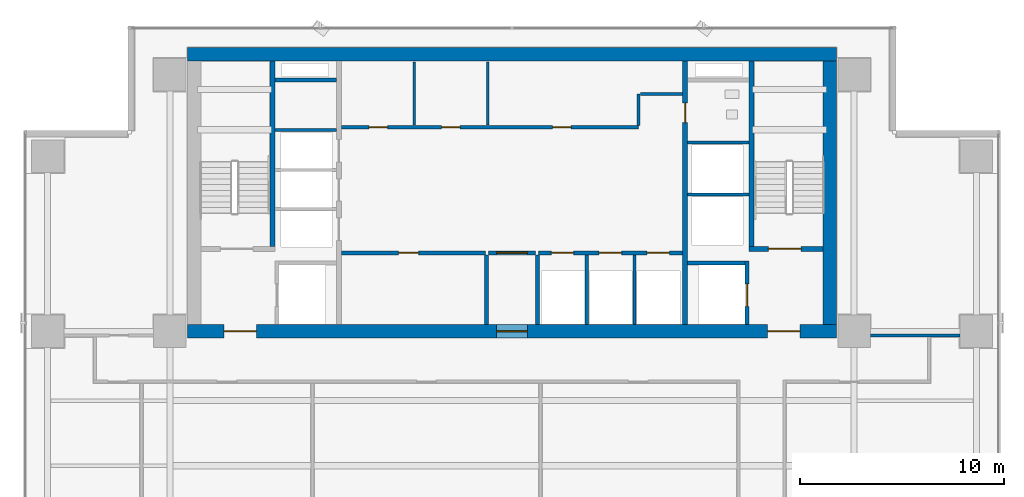
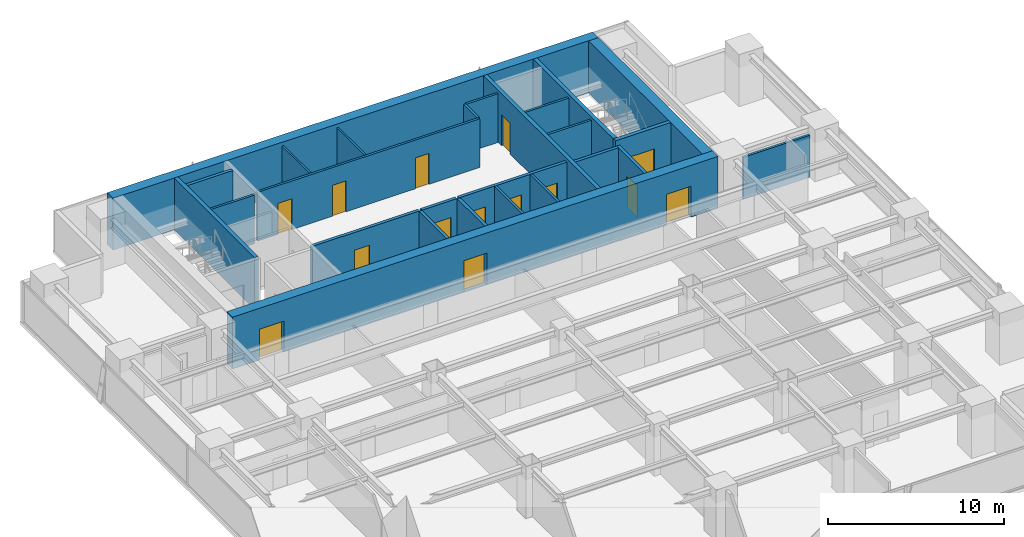
# One storey, part 22 of 28: 26 walls, 14 doors, 14 openings.
"""IFC4 building model written with IfcOpenShell, lengths in metres."""

from ifc_helpers import new_model, si_unit, direction, frame, frame_2d, origin, place, context, subcontext, project, spatial, rectangle, extrude, source, transform, mapped, material, layer, layer_set, type_object, element, fill, save


model = new_model("IFC4")

# Units and contexts
model_context = context("Model", 3, precision=1e-05, world=origin(), true_north=direction((0.0, 1.0)))
body_context = subcontext(model_context, "Body", "Model", "MODEL_VIEW")
ifc_project = project(units=[si_unit("LENGTHUNIT", "METRE"), si_unit("AREAUNIT", "SQUARE_METRE"), si_unit("VOLUMEUNIT", "CUBIC_METRE"), si_unit("PLANEANGLEUNIT", "RADIAN"), si_unit("MASSUNIT", "GRAM", prefix="KILO")], contexts=[model_context])

# Site, building, storey
site_placement = place(None, origin())
site = spatial("IfcSite", under=ifc_project, at=site_placement, CompositionType="ELEMENT")
building_placement = place(site_placement, origin())
building = spatial("IfcBuilding", under=site, at=building_placement, Name="Sumidabori Civic Tower", CompositionType="ELEMENT")
storey_placement = place(building_placement, frame((0.0, 0.0, 146.0)))
storey = spatial("IfcBuildingStorey", under=building, at=storey_placement, Name="L37", CompositionType="ELEMENT", Elevation=146.0)

# Walls
ifc_material_1 = material(Name="Concrete C50/60", Category="concrete")
ifc_layer_1 = layer(ifc_material_1, 0.199951171875, Name="Concrete C50/60")
ifc_layer_set_1 = layer_set([ifc_layer_1], Name="Concrete C50/60")
wall_type_1 = type_object("IfcWallType", Name="WL-SHAFT-200", PredefinedType="SHEAR", material=ifc_layer_set_1)
shared_shape_1 = source(origin(), body_context, "Body", "SweptSolid", [
    extrude(rectangle(XDim=2.824951171875, YDim=0.199951171875, at=frame_2d((1.41259765625, 0.0))), origin(), (0.0, 0.0, 1.0), 3.60009765625),
])
wall_1_placement = place(storey_placement, frame((8.625, 13.550048828125, 0.0), z_axis=(0.0, 0.0, 1.0), x_axis=(1.0, 0.0, 0.0)))
element("IfcWall", 1, at=wall_1_placement, inside=storey, type_object=wall_type_1, Name="Core Shear Wall L37 EL2-N", PredefinedType="SHEAR", context=body_context, shape_type="MappedRepresentation", body=[
    mapped(shared_shape_1, transform((0.0, 0.0, 0.0), x_axis=(1.0, 0.0, 0.0), y_axis=(0.0, 1.0, 0.0), z_axis=(0.0, 0.0, 1.0), scale=1.0)),
])
shared_shape_2 = source(origin(), body_context, "Body", "SweptSolid", [
    extrude(rectangle(XDim=3.02001953125, YDim=0.199951171875, at=frame_2d((1.510009765625, 0.0))), origin(), (0.0, 0.0, 1.0), 3.60009765625),
])
wall_2_placement = place(storey_placement, frame((-11.64501953125, 22.550048828125, 0.0), z_axis=(0.0, 0.0, 1.0), x_axis=(1.0, 0.0, 0.0)))
element("IfcWall", 2, at=wall_2_placement, inside=storey, type_object=wall_type_1, Name="Core Shear Wall L37 RIS1-S", PredefinedType="SHEAR", context=body_context, shape_type="MappedRepresentation", body=[
    mapped(shared_shape_2, transform((0.0, 0.0, 0.0), x_axis=(1.0, 0.0, 0.0), y_axis=(0.0, 1.0, 0.0), z_axis=(0.0, 0.0, 1.0), scale=1.0)),
])
ifc_material_2 = material(Name="Concrete C60/75", Category="concrete")
ifc_layer_2 = layer(ifc_material_2, 0.64990234375, Name="Concrete C60/75")
ifc_layer_set_2 = layer_set([ifc_layer_2], Name="Concrete C60/75")
wall_type_2 = type_object("IfcWallType", Name="WL-CORE-650", PredefinedType="SHEAR", material=ifc_layer_set_2)
shared_shape_3 = source(origin(), body_context, "Body", "SweptSolid", [
    extrude(rectangle(XDim=31.85009765625, YDim=0.64990234375, at=frame_2d((15.925048828125, 0.0))), origin(), (0.0, 0.0, 1.0), 3.60009765625),
])
wall_3_placement = place(storey_placement, frame((-15.925048828125, 23.800048828125, 0.0), z_axis=(0.0, 0.0, 1.0), x_axis=(1.0, 0.0, 0.0)))
element("IfcWall", 3, at=wall_3_placement, inside=storey, type_object=wall_type_2, Name="Core Shear Wall L37 N", PredefinedType="SHEAR", context=body_context, shape_type="MappedRepresentation", body=[
    mapped(shared_shape_3, transform((0.0, 0.0, 0.0), x_axis=(1.0, 0.0, 0.0), y_axis=(0.0, 1.0, 0.0), z_axis=(0.0, 0.0, 1.0), scale=1.0)),
])

# Wall, openings, doors
wall_4_placement = place(storey_placement, frame((-15.925048828125, 10.199951171875, 0.0), z_axis=(0.0, 0.0, 1.0), x_axis=(1.0, 0.0, 0.0)))
wall_4 = element("IfcWall", 4, at=wall_4_placement, inside=storey, type_object=wall_type_2, Name="Core Shear Wall L37 S", PredefinedType="SHEAR", context=body_context, shape_type="MappedRepresentation", body=[
    mapped(shared_shape_3, transform((0.0, 0.0, 0.0), x_axis=(1.0, 0.0, 0.0), y_axis=(0.0, 1.0, 0.0), z_axis=(0.0, 0.0, 1.0), scale=1.0)),
])
opening_1_placement = place(wall_4_placement, frame((1.77490234375, 0.0, 0.0)))
opening_1 = element("IfcOpeningElement", 5, at=opening_1_placement, cuts=wall_4, Name="Opening DR-FD4", PredefinedType="OPENING", context=body_context, shape_type="SweptSolid", body=[
    extrude(rectangle(XDim=1.60009765625, YDim=2.14990234375, at=frame_2d((0.800048828125, 1.074951171875))), frame((0.0, 0.3369140625, 0.0), z_axis=(0.0, -1.0, 0.0), x_axis=(1.0, 0.0, 0.0)), (0.0, 0.0, 1.0), 0.673828125),
])
opening_2_placement = place(wall_4_placement, frame((28.47509765625, 0.0, 0.0)))
opening_2 = element("IfcOpeningElement", 6, at=opening_2_placement, cuts=wall_4, Name="Opening DR-FD4", PredefinedType="OPENING", context=body_context, shape_type="SweptSolid", body=[
    extrude(rectangle(XDim=1.60009765625, YDim=2.14990234375, at=frame_2d((0.800048828125, 1.074951171875))), frame((0.0, 0.3369140625, 0.0), z_axis=(0.0, -1.0, 0.0), x_axis=(1.0, 0.0, 0.0)), (0.0, 0.0, 1.0), 0.673828125),
])
opening_3_placement = place(wall_4_placement, frame((15.175048828125, 0.0, 0.0)))
opening_3 = element("IfcOpeningElement", 7, at=opening_3_placement, cuts=wall_4, Name="Opening DR-FD3", PredefinedType="OPENING", context=body_context, shape_type="SweptSolid", body=[
    extrude(rectangle(XDim=1.5, YDim=2.199951171875, at=frame_2d((0.75, 1.10009765625))), frame((0.0, 0.3369140625, 0.0), z_axis=(0.0, -1.0, 0.0), x_axis=(1.0, 0.0, 0.0)), (0.0, 0.0, 1.0), 0.673828125),
])
ifc_material_3 = material(Name="Steel SN490", Category="steel")
door_type_1 = type_object("IfcDoorType", Name="DR-FD4", OperationType="DOUBLE_DOOR_SINGLE_SWING", PredefinedType="DOOR", material=ifc_material_3)
shared_shape_4 = source(origin(), body_context, "Body", "SweptSolid", [
    extrude(rectangle(XDim=1.60009765625, YDim=2.14990234375, at=frame_2d((0.800048828125, 1.074951171875))), frame((0.0, 0.02490234375, 0.0), z_axis=(0.0, -1.0, 0.0), x_axis=(1.0, 0.0, 0.0)), (0.0, 0.0, 1.0), 0.050048828125),
])
door_1_placement = place(opening_1_placement, origin())
door_1 = element("IfcDoor", 8, at=door_1_placement, inside=storey, type_object=door_type_1, Name="Door DR:L37:ELOB-W", OperationType="DOUBLE_DOOR_SINGLE_SWING", OverallHeight=2.14990234375, OverallWidth=1.60009765625, PredefinedType="DOOR", context=body_context, shape_type="MappedRepresentation", body=[
    mapped(shared_shape_4, transform((0.0, 0.0, 0.0), x_axis=(1.0, 0.0, 0.0), y_axis=(0.0, 1.0, 0.0), z_axis=(0.0, 0.0, 1.0), scale=1.0)),
])
fill(opening_1, door_1)
door_2_placement = place(opening_2_placement, origin())
door_2 = element("IfcDoor", 9, at=door_2_placement, inside=storey, type_object=door_type_1, Name="Door DR:L37:ELOB-E", OperationType="DOUBLE_DOOR_SINGLE_SWING", OverallHeight=2.14990234375, OverallWidth=1.60009765625, PredefinedType="DOOR", context=body_context, shape_type="MappedRepresentation", body=[
    mapped(shared_shape_4, transform((0.0, 0.0, 0.0), x_axis=(1.0, 0.0, 0.0), y_axis=(0.0, 1.0, 0.0), z_axis=(0.0, 0.0, 1.0), scale=1.0)),
])
fill(opening_2, door_2)
door_type_2 = type_object("IfcDoorType", Name="DR-FD-DBL", OperationType="DOUBLE_DOOR_SINGLE_SWING", PredefinedType="DOOR", material=ifc_material_3)
shared_shape_5 = source(origin(), body_context, "Body", "SweptSolid", [
    extrude(rectangle(XDim=1.5, YDim=2.199951171875, at=frame_2d((0.75, 1.10009765625))), frame((0.0, 0.02490234375, 0.0), z_axis=(0.0, -1.0, 0.0), x_axis=(1.0, 0.0, 0.0)), (0.0, 0.0, 1.0), 0.050048828125),
])
door_3_placement = place(opening_3_placement, origin())
door_3 = element("IfcDoor", 10, at=door_3_placement, inside=storey, type_object=door_type_2, Name="Door DR:L37:THROAT-OUT", OperationType="DOUBLE_DOOR_SINGLE_SWING", OverallHeight=2.199951171875, OverallWidth=1.5, PredefinedType="DOOR", context=body_context, shape_type="MappedRepresentation", body=[
    mapped(shared_shape_5, transform((0.0, 0.0, 0.0), x_axis=(1.0, 0.0, 0.0), y_axis=(0.0, 1.0, 0.0), z_axis=(0.0, 0.0, 1.0), scale=1.0)),
])
fill(opening_3, door_3)

# Wall
shared_shape_6 = source(origin(), body_context, "Body", "SweptSolid", [
    extrude(rectangle(XDim=12.9501953125, YDim=0.64990234375, at=frame_2d((6.47509765625, 0.0))), origin(), (0.0, 0.0, 1.0), 3.60009765625),
])
wall_5_placement = place(storey_placement, frame((15.60009765625, 10.52490234375, 0.0), z_axis=(0.0, 0.0, 1.0), x_axis=(0.0, 1.0, 0.0)))
element("IfcWall", 11, at=wall_5_placement, inside=storey, type_object=wall_type_2, Name="Core Shear Wall L37 E", PredefinedType="SHEAR", context=body_context, shape_type="MappedRepresentation", body=[
    mapped(shared_shape_6, transform((0.0, 0.0, 0.0), x_axis=(1.0, 0.0, 0.0), y_axis=(0.0, 1.0, 0.0), z_axis=(0.0, 0.0, 1.0), scale=1.0)),
])

# Wall, opening, door
ifc_layer_3 = layer(ifc_material_1, 0.25, Name="Concrete C50/60")
ifc_layer_set_3 = layer_set([ifc_layer_3], Name="Concrete C50/60")
wall_type_3 = type_object("IfcWallType", Name="WL-SHAFT-250", PredefinedType="SHEAR", material=ifc_layer_set_3)
shared_shape_7 = source(origin(), body_context, "Body", "SweptSolid", [
    extrude(rectangle(XDim=12.9501953125, YDim=0.25, at=frame_2d((6.47509765625, 0.0))), origin(), (0.0, 0.0, 1.0), 3.60009765625),
])
wall_6_placement = place(storey_placement, frame((8.5, 10.52490234375, 0.0), z_axis=(0.0, 0.0, 1.0), x_axis=(0.0, 1.0, 0.0)))
wall_6 = element("IfcWall", 12, at=wall_6_placement, inside=storey, type_object=wall_type_3, Name="Core Shear Wall L37 WEB-E", PredefinedType="SHEAR", context=body_context, shape_type="MappedRepresentation", body=[
    mapped(shared_shape_7, transform((0.0, 0.0, 0.0), x_axis=(1.0, 0.0, 0.0), y_axis=(0.0, 1.0, 0.0), z_axis=(0.0, 0.0, 1.0), scale=1.0)),
])
opening_4_placement = place(wall_6_placement, frame((9.925048828125, 0.0, 0.0)))
opening_4 = element("IfcOpeningElement", 13, at=opening_4_placement, cuts=wall_6, Name="Opening DR-2", PredefinedType="OPENING", context=body_context, shape_type="SweptSolid", body=[
    extrude(rectangle(XDim=0.949951171875, YDim=2.14990234375, at=frame_2d((0.47509765625, 1.074951171875))), frame((0.0, 0.136962890625, 0.0), z_axis=(0.0, -1.0, 0.0), x_axis=(1.0, 0.0, 0.0)), (0.0, 0.0, 1.0), 0.27392578125),
])
ifc_material_4 = material(Name="Japanese Hinoki Timber", Category="wood")
door_type_3 = type_object("IfcDoorType", Name="DR-INT-950", OperationType="NOTDEFINED", PredefinedType="DOOR", material=ifc_material_4)
shared_shape_8 = source(origin(), body_context, "Body", "SweptSolid", [
    extrude(rectangle(XDim=0.949951171875, YDim=2.14990234375, at=frame_2d((0.47509765625, 1.074951171875))), frame((0.0, 0.02490234375, 0.0), z_axis=(0.0, -1.0, 0.0), x_axis=(1.0, 0.0, 0.0)), (0.0, 0.0, 1.0), 0.050048828125),
])
door_4_placement = place(opening_4_placement, origin())
door_4 = element("IfcDoor", 14, at=door_4_placement, inside=storey, type_object=door_type_3, Name="Door DR:L37:WC-ACC", OperationType="SINGLE_SWING_RIGHT", OverallHeight=2.14990234375, OverallWidth=0.949951171875, PredefinedType="DOOR", context=body_context, shape_type="MappedRepresentation", body=[
    mapped(shared_shape_8, transform((0.0, 0.0, 0.0), x_axis=(1.0, 0.0, 0.0), y_axis=(0.0, 1.0, 0.0), z_axis=(0.0, 0.0, 1.0), scale=1.0)),
])
fill(opening_4, door_4)

shared_shape_9 = source(origin(), body_context, "Body", "SweptSolid", [
    extrude(rectangle(XDim=3.6298828125, YDim=0.25, at=frame_2d((1.81494140625, 0.0))), origin(), (0.0, 0.0, 1.0), 3.60009765625),
])
wall_7_placement = place(storey_placement, frame((11.64501953125, 14.25, 0.0), z_axis=(0.0, 0.0, 1.0), x_axis=(1.0, 0.0, 0.0)))
wall_7 = element("IfcWall", 15, at=wall_7_placement, inside=storey, type_object=wall_type_3, Name="Core Shear Wall L37 ST2-S", PredefinedType="SHEAR", context=body_context, shape_type="MappedRepresentation", body=[
    mapped(shared_shape_9, transform((0.0, 0.0, 0.0), x_axis=(1.0, 0.0, 0.0), y_axis=(0.0, 1.0, 0.0), z_axis=(0.0, 0.0, 1.0), scale=1.0)),
])
opening_5_placement = place(wall_7_placement, frame((0.949951171875, 0.0, 0.0)))
opening_5 = element("IfcOpeningElement", 16, at=opening_5_placement, cuts=wall_7, Name="Opening DR-FD4", PredefinedType="OPENING", context=body_context, shape_type="SweptSolid", body=[
    extrude(rectangle(XDim=1.60009765625, YDim=2.14990234375, at=frame_2d((0.800048828125, 1.074951171875))), frame((0.0, 0.136962890625, 0.0), z_axis=(0.0, -1.0, 0.0), x_axis=(1.0, 0.0, 0.0)), (0.0, 0.0, 1.0), 0.27392578125),
])
door_5_placement = place(opening_5_placement, origin())
door_5 = element("IfcDoor", 17, at=door_5_placement, inside=storey, type_object=door_type_1, Name="Door DR:L37:ST2", OperationType="DOUBLE_DOOR_SINGLE_SWING", OverallHeight=2.14990234375, OverallWidth=1.60009765625, PredefinedType="DOOR", context=body_context, shape_type="MappedRepresentation", body=[
    mapped(shared_shape_4, transform((0.0, 0.0, 0.0), x_axis=(1.0, 0.0, 0.0), y_axis=(0.0, 1.0, 0.0), z_axis=(0.0, 0.0, 1.0), scale=1.0)),
])
fill(opening_5, door_5)

# Walls
shared_shape_10 = source(origin(), body_context, "Body", "SweptSolid", [
    extrude(rectangle(XDim=9.10009765625, YDim=0.25, at=frame_2d((4.550048828125, 0.0))), origin(), (0.0, 0.0, 1.0), 3.60009765625),
])
for number, where, z_axis, x_axis, name in (
    (18, (-11.77001953125, 14.375, 0.0), (0.0, 0.0, 1.0), (0.0, 1.0, 0.0), "Core Shear Wall L37 ST1-E"),
    (19, (11.77001953125, 14.375, 0.0), (0.0, 0.0, 1.0), (0.0, 1.0, 0.0), "Core Shear Wall L37 ST2-W"),
):
    element("IfcWall", number, at=place(storey_placement, frame(where, z_axis=z_axis, x_axis=x_axis)), inside=storey, type_object=wall_type_3, Name=name, PredefinedType="SHEAR", context=body_context, shape_type="MappedRepresentation", body=[
        mapped(shared_shape_10, transform((0.0, 0.0, 0.0), x_axis=(1.0, 0.0, 0.0), y_axis=(0.0, 1.0, 0.0), z_axis=(0.0, 0.0, 1.0), scale=1.0)),
    ])

# Wall, opening, door
shared_shape_11 = source(origin(), body_context, "Body", "SweptSolid", [
    extrude(rectangle(XDim=3.125, YDim=0.199951171875, at=frame_2d((1.5625, 0.0))), origin(), (0.0, 0.0, 1.0), 3.60009765625),
])
wall_8_placement = place(storey_placement, frame((11.550048828125, 10.52490234375, 0.0), z_axis=(0.0, 0.0, 1.0), x_axis=(0.0, 1.0, 0.0)))
wall_8 = element("IfcWall", 20, at=wall_8_placement, inside=storey, type_object=wall_type_1, Name="Core Shear Wall L37 EL2-E", PredefinedType="SHEAR", context=body_context, shape_type="MappedRepresentation", body=[
    mapped(shared_shape_11, transform((0.0, 0.0, 0.0), x_axis=(1.0, 0.0, 0.0), y_axis=(0.0, 1.0, 0.0), z_axis=(0.0, 0.0, 1.0), scale=1.0)),
])
opening_6_placement = place(wall_8_placement, frame((0.89990234375, 0.0, 0.0)))
opening_6 = element("IfcOpeningElement", 21, at=opening_6_placement, cuts=wall_8, Name="Opening LD-2", PredefinedType="OPENING", context=body_context, shape_type="SweptSolid", body=[
    extrude(rectangle(XDim=1.10009765625, YDim=2.14990234375, at=frame_2d((0.550048828125, 1.074951171875))), frame((0.0, 0.11181640625, 0.0), z_axis=(0.0, -1.0, 0.0), x_axis=(1.0, 0.0, 0.0)), (0.0, 0.0, 1.0), 0.223876953125),
])
ifc_material_5 = material(Name="Stainless Steel Hairline Finish", Category="steel")
door_type_4 = type_object("IfcDoorType", Name="DR-LD2", OperationType="DOUBLE_DOOR_SLIDING", PredefinedType="DOOR", material=ifc_material_5)
shared_shape_12 = source(origin(), body_context, "Body", "SweptSolid", [
    extrude(rectangle(XDim=1.10009765625, YDim=2.14990234375, at=frame_2d((0.550048828125, 1.074951171875))), frame((0.0, 0.02490234375, 0.0), z_axis=(0.0, -1.0, 0.0), x_axis=(1.0, 0.0, 0.0)), (0.0, 0.0, 1.0), 0.050048828125),
])
door_6_placement = place(opening_6_placement, origin())
door_6 = element("IfcDoor", 22, at=door_6_placement, inside=storey, type_object=door_type_4, Name="Door DR:L37:LD-EL2", OperationType="DOUBLE_DOOR_SLIDING", OverallHeight=2.14990234375, OverallWidth=1.10009765625, PredefinedType="DOOR", context=body_context, shape_type="MappedRepresentation", body=[
    mapped(shared_shape_12, transform((0.0, 0.0, 0.0), x_axis=(1.0, 0.0, 0.0), y_axis=(0.0, 1.0, 0.0), z_axis=(0.0, 0.0, 1.0), scale=1.0)),
])
fill(opening_6, door_6)

# Walls
ifc_material_6 = material(Name="Gypsum Plasterboard Acoustic Partition")
ifc_layer_4 = layer(ifc_material_6, 0.14990234375, Name="Gypsum Plasterboard Acoustic Partition")
ifc_layer_set_4 = layer_set([ifc_layer_4], Name="Gypsum Plasterboard Acoustic Partition")
wall_type_4 = type_object("IfcWallType", Name="WL-PART-150", PredefinedType="PARTITIONING", material=ifc_layer_set_4)
shared_shape_13 = source(origin(), body_context, "Body", "SweptSolid", [
    extrude(rectangle(XDim=3.010009765625, YDim=0.14990234375, at=frame_2d((1.5048828125, 0.0))), origin(), (0.0, 0.0, 1.0), 3.3798828125),
])
for number, where, z_axis, x_axis, name in (
    (23, (-11.639892578125, 20.080078125, 0.0), (0.0, 0.0, 1.0), (1.0, 0.0, 0.0), "Interior Partition WL:L37:DIV-PLH3"),
    (24, (8.6298828125, 16.919921875, 0.0), (0.0, 0.0, 1.0), (1.0, 0.0, 0.0), "Interior Partition WL:L37:DIV-OBS1"),
    (25, (8.6298828125, 19.469970703125, 0.0), (0.0, 0.0, 1.0), (1.0, 0.0, 0.0), "Interior Partition WL:L37:DIV-OBS2"),
):
    element("IfcWall", number, at=place(storey_placement, frame(where, z_axis=z_axis, x_axis=x_axis)), inside=storey, type_object=wall_type_4, Name=name, PredefinedType="PARTITIONING", context=body_context, shape_type="MappedRepresentation", body=[
        mapped(shared_shape_13, transform((0.0, 0.0, 0.0), x_axis=(1.0, 0.0, 0.0), y_axis=(0.0, 1.0, 0.0), z_axis=(0.0, 0.0, 1.0), scale=1.0)),
    ])

# Wall, opening, door
ifc_material_7 = material(Name="Gypsum Plasterboard Fire Partition")
ifc_layer_5 = layer(ifc_material_7, 0.199951171875, Name="Gypsum Plasterboard Fire Partition")
ifc_layer_set_5 = layer_set([ifc_layer_5], Name="Gypsum Plasterboard Fire Partition")
wall_type_5 = type_object("IfcWallType", Name="WL-PART-FIRE", PredefinedType="PARTITIONING", material=ifc_layer_set_5)
shared_shape_14 = source(origin(), body_context, "Body", "SweptSolid", [
    extrude(rectangle(XDim=7.070068359375, YDim=0.199951171875, at=frame_2d((3.53515625, 0.0))), origin(), (0.0, 0.0, 1.0), 3.3798828125),
])
wall_9_placement = place(storey_placement, frame((-8.3701171875, 14.050048828125, 0.0), z_axis=(0.0, 0.0, 1.0), x_axis=(1.0, 0.0, 0.0)))
wall_9 = element("IfcWall", 26, at=wall_9_placement, inside=storey, type_object=wall_type_5, Name="Interior Partition WL:L37:CBAND-SW", PredefinedType="PARTITIONING", context=body_context, shape_type="MappedRepresentation", body=[
    mapped(shared_shape_14, transform((0.0, 0.0, 0.0), x_axis=(1.0, 0.0, 0.0), y_axis=(0.0, 1.0, 0.0), z_axis=(0.0, 0.0, 1.0), scale=1.0)),
])
opening_7_placement = place(wall_9_placement, frame((2.800048828125, 0.0, 0.0)))
opening_7 = element("IfcOpeningElement", 27, at=opening_7_placement, cuts=wall_9, Name="Opening DR-3", PredefinedType="OPENING", context=body_context, shape_type="SweptSolid", body=[
    extrude(rectangle(XDim=0.97998046875, YDim=2.14990234375, at=frame_2d((0.489990234375, 1.074951171875))), frame((0.0, 0.11181640625, 0.0), z_axis=(0.0, -1.0, 0.0), x_axis=(1.0, 0.0, 0.0)), (0.0, 0.0, 1.0), 0.223876953125),
])
door_type_5 = type_object("IfcDoorType", Name="DR-INT-980", OperationType="NOTDEFINED", PredefinedType="DOOR", material=ifc_material_4)
shared_shape_15 = source(origin(), body_context, "Body", "SweptSolid", [
    extrude(rectangle(XDim=0.97998046875, YDim=2.14990234375, at=frame_2d((0.489990234375, 1.074951171875))), frame((0.0, 0.02490234375, 0.0), z_axis=(0.0, -1.0, 0.0), x_axis=(1.0, 0.0, 0.0)), (0.0, 0.0, 1.0), 0.050048828125),
])
door_7_placement = place(opening_7_placement, origin())
door_7 = element("IfcDoor", 28, at=door_7_placement, inside=storey, type_object=door_type_5, Name="Door DR:L37:REC-B1", OperationType="SINGLE_SWING_LEFT", OverallHeight=2.14990234375, OverallWidth=0.97998046875, PredefinedType="DOOR", context=body_context, shape_type="MappedRepresentation", body=[
    mapped(shared_shape_15, transform((0.0, 0.0, 0.0), x_axis=(1.0, 0.0, 0.0), y_axis=(0.0, 1.0, 0.0), z_axis=(0.0, 0.0, 1.0), scale=1.0)),
])
fill(opening_7, door_7)

# Wall, openings, doors
wall_10_placement = place(storey_placement, frame((1.300048828125, 14.050048828125, 0.0), z_axis=(0.0, 0.0, 1.0), x_axis=(1.0, 0.0, 0.0)))
wall_10 = element("IfcWall", 29, at=wall_10_placement, inside=storey, type_object=wall_type_5, Name="Interior Partition WL:L37:CBAND-SE", PredefinedType="PARTITIONING", context=body_context, shape_type="MappedRepresentation", body=[
    mapped(shared_shape_14, transform((0.0, 0.0, 0.0), x_axis=(1.0, 0.0, 0.0), y_axis=(0.0, 1.0, 0.0), z_axis=(0.0, 0.0, 1.0), scale=1.0)),
])
opening_8_placement = place(wall_10_placement, frame((0.6298828125, 0.0, 0.0)))
opening_8 = element("IfcOpeningElement", 30, at=opening_8_placement, cuts=wall_10, Name="Opening LD-1", PredefinedType="OPENING", context=body_context, shape_type="SweptSolid", body=[
    extrude(rectangle(XDim=1.10009765625, YDim=2.14990234375, at=frame_2d((0.550048828125, 1.074951171875))), frame((0.0, 0.11181640625, 0.0), z_axis=(0.0, -1.0, 0.0), x_axis=(1.0, 0.0, 0.0)), (0.0, 0.0, 1.0), 0.223876953125),
])
opening_9_placement = place(wall_10_placement, frame((2.97998046875, 0.0, 0.0)))
opening_9 = element("IfcOpeningElement", 31, at=opening_9_placement, cuts=wall_10, Name="Opening LD-1", PredefinedType="OPENING", context=body_context, shape_type="SweptSolid", body=[
    extrude(rectangle(XDim=1.10009765625, YDim=2.14990234375, at=frame_2d((0.550048828125, 1.074951171875))), frame((0.0, 0.11181640625, 0.0), z_axis=(0.0, -1.0, 0.0), x_axis=(1.0, 0.0, 0.0)), (0.0, 0.0, 1.0), 0.223876953125),
])
opening_10_placement = place(wall_10_placement, frame((5.330078125, 0.0, 0.0)))
opening_10 = element("IfcOpeningElement", 32, at=opening_10_placement, cuts=wall_10, Name="Opening LD-1", PredefinedType="OPENING", context=body_context, shape_type="SweptSolid", body=[
    extrude(rectangle(XDim=1.10009765625, YDim=2.14990234375, at=frame_2d((0.550048828125, 1.074951171875))), frame((0.0, 0.11181640625, 0.0), z_axis=(0.0, -1.0, 0.0), x_axis=(1.0, 0.0, 0.0)), (0.0, 0.0, 1.0), 0.223876953125),
])
door_type_6 = type_object("IfcDoorType", Name="DR-LD1", OperationType="DOUBLE_DOOR_SLIDING", PredefinedType="DOOR", material=ifc_material_5)
door_8_placement = place(opening_8_placement, origin())
door_8 = element("IfcDoor", 33, at=door_8_placement, inside=storey, type_object=door_type_6, Name="Door DR:L37:LD-PLM1", OperationType="DOUBLE_DOOR_SLIDING", OverallHeight=2.14990234375, OverallWidth=1.10009765625, PredefinedType="DOOR", context=body_context, shape_type="MappedRepresentation", body=[
    mapped(shared_shape_12, transform((0.0, 0.0, 0.0), x_axis=(1.0, 0.0, 0.0), y_axis=(0.0, 1.0, 0.0), z_axis=(0.0, 0.0, 1.0), scale=1.0)),
])
fill(opening_8, door_8)
door_9_placement = place(opening_9_placement, origin())
door_9 = element("IfcDoor", 34, at=door_9_placement, inside=storey, type_object=door_type_6, Name="Door DR:L37:LD-PLM2", OperationType="DOUBLE_DOOR_SLIDING", OverallHeight=2.14990234375, OverallWidth=1.10009765625, PredefinedType="DOOR", context=body_context, shape_type="MappedRepresentation", body=[
    mapped(shared_shape_12, transform((0.0, 0.0, 0.0), x_axis=(1.0, 0.0, 0.0), y_axis=(0.0, 1.0, 0.0), z_axis=(0.0, 0.0, 1.0), scale=1.0)),
])
fill(opening_9, door_9)
door_10_placement = place(opening_10_placement, origin())
door_10 = element("IfcDoor", 35, at=door_10_placement, inside=storey, type_object=door_type_6, Name="Door DR:L37:LD-PLM3", OperationType="DOUBLE_DOOR_SLIDING", OverallHeight=2.14990234375, OverallWidth=1.10009765625, PredefinedType="DOOR", context=body_context, shape_type="MappedRepresentation", body=[
    mapped(shared_shape_12, transform((0.0, 0.0, 0.0), x_axis=(1.0, 0.0, 0.0), y_axis=(0.0, 1.0, 0.0), z_axis=(0.0, 0.0, 1.0), scale=1.0)),
])
fill(opening_10, door_10)

# Walls
shared_shape_16 = source(origin(), body_context, "Body", "SweptSolid", [
    extrude(rectangle(XDim=3.4150390625, YDim=0.199951171875, at=frame_2d((1.70751953125, 0.0))), origin(), (0.0, 0.0, 1.0), 3.3798828125),
])
for number, where, z_axis, x_axis, name in (
    (36, (-1.25, 10.52490234375, 0.0), (0.0, 0.0, 1.0), (0.0, 1.0, 0.0), "Interior Partition WL:L37:THROAT-W"),
    (37, (1.25, 10.52490234375, 0.0), (0.0, 0.0, 1.0), (0.0, 1.0, 0.0), "Interior Partition WL:L37:THROAT-E"),
):
    element("IfcWall", number, at=place(storey_placement, frame(where, z_axis=z_axis, x_axis=x_axis)), inside=storey, type_object=wall_type_5, Name=name, PredefinedType="PARTITIONING", context=body_context, shape_type="MappedRepresentation", body=[
        mapped(shared_shape_16, transform((0.0, 0.0, 0.0), x_axis=(1.0, 0.0, 0.0), y_axis=(0.0, 1.0, 0.0), z_axis=(0.0, 0.0, 1.0), scale=1.0)),
    ])

# Wall, opening, door
shared_shape_17 = source(origin(), body_context, "Body", "SweptSolid", [
    extrude(rectangle(XDim=2.2998046875, YDim=0.199951171875, at=frame_2d((1.14990234375, 0.0))), origin(), (0.0, 0.0, 1.0), 3.3798828125),
])
wall_11_placement = place(storey_placement, frame((-1.14990234375, 14.050048828125, 0.0), z_axis=(0.0, 0.0, 1.0), x_axis=(1.0, 0.0, 0.0)))
wall_11 = element("IfcWall", 38, at=wall_11_placement, inside=storey, type_object=wall_type_5, Name="Interior Partition WL:L37:THROAT-N", PredefinedType="PARTITIONING", context=body_context, shape_type="MappedRepresentation", body=[
    mapped(shared_shape_17, transform((0.0, 0.0, 0.0), x_axis=(1.0, 0.0, 0.0), y_axis=(0.0, 1.0, 0.0), z_axis=(0.0, 0.0, 1.0), scale=1.0)),
])
opening_11_placement = place(wall_11_placement, frame((0.39990234375, 0.0, 0.0)))
opening_11 = element("IfcOpeningElement", 39, at=opening_11_placement, cuts=wall_11, Name="Opening DR-FD3", PredefinedType="OPENING", context=body_context, shape_type="SweptSolid", body=[
    extrude(rectangle(XDim=1.5, YDim=2.199951171875, at=frame_2d((0.75, 1.10009765625))), frame((0.0, 0.11181640625, 0.0), z_axis=(0.0, -1.0, 0.0), x_axis=(1.0, 0.0, 0.0)), (0.0, 0.0, 1.0), 0.223876953125),
])
door_11_placement = place(opening_11_placement, origin())
door_11 = element("IfcDoor", 40, at=door_11_placement, inside=storey, type_object=door_type_2, Name="Door DR:L37:THROAT-IN", OperationType="DOUBLE_DOOR_SINGLE_SWING", OverallHeight=2.199951171875, OverallWidth=1.5, PredefinedType="DOOR", context=body_context, shape_type="MappedRepresentation", body=[
    mapped(shared_shape_5, transform((0.0, 0.0, 0.0), x_axis=(1.0, 0.0, 0.0), y_axis=(0.0, 1.0, 0.0), z_axis=(0.0, 0.0, 1.0), scale=1.0)),
])
fill(opening_11, door_11)

# Wall, openings, doors
shared_shape_18 = source(origin(), body_context, "Body", "SweptSolid", [
    extrude(rectangle(XDim=14.590087890625, YDim=0.14990234375, at=frame_2d((7.294921875, 0.0))), origin(), (0.0, 0.0, 1.0), 3.3798828125),
])
wall_12_placement = place(storey_placement, frame((-8.3701171875, 20.219970703125, 0.0), z_axis=(0.0, 0.0, 1.0), x_axis=(1.0, 0.0, 0.0)))
wall_12 = element("IfcWall", 41, at=wall_12_placement, inside=storey, type_object=wall_type_4, Name="Interior Partition WL:L37:CBAND-M", PredefinedType="PARTITIONING", context=body_context, shape_type="MappedRepresentation", body=[
    mapped(shared_shape_18, transform((0.0, 0.0, 0.0), x_axis=(1.0, 0.0, 0.0), y_axis=(0.0, 1.0, 0.0), z_axis=(0.0, 0.0, 1.0), scale=1.0)),
])
opening_12_placement = place(wall_12_placement, frame((1.360107421875, 0.0, 0.0)))
opening_12 = element("IfcOpeningElement", 42, at=opening_12_placement, cuts=wall_12, Name="Opening DR-1", PredefinedType="OPENING", context=body_context, shape_type="SweptSolid", body=[
    extrude(rectangle(XDim=0.89990234375, YDim=2.14990234375, at=frame_2d((0.449951171875, 1.074951171875))), frame((0.0, 0.0869140625, 0.0), z_axis=(0.0, -1.0, 0.0), x_axis=(1.0, 0.0, 0.0)), (0.0, 0.0, 1.0), 0.173828125),
])
opening_13_placement = place(wall_12_placement, frame((4.919921875, 0.0, 0.0)))
opening_13 = element("IfcOpeningElement", 43, at=opening_13_placement, cuts=wall_12, Name="Opening DR-1", PredefinedType="OPENING", context=body_context, shape_type="SweptSolid", body=[
    extrude(rectangle(XDim=0.89990234375, YDim=2.14990234375, at=frame_2d((0.449951171875, 1.074951171875))), frame((0.0, 0.0869140625, 0.0), z_axis=(0.0, -1.0, 0.0), x_axis=(1.0, 0.0, 0.0)), (0.0, 0.0, 1.0), 0.173828125),
])
opening_14_placement = place(wall_12_placement, frame((10.3701171875, 0.0, 0.0)))
opening_14 = element("IfcOpeningElement", 44, at=opening_14_placement, cuts=wall_12, Name="Opening DR-1", PredefinedType="OPENING", context=body_context, shape_type="SweptSolid", body=[
    extrude(rectangle(XDim=0.89990234375, YDim=2.14990234375, at=frame_2d((0.449951171875, 1.074951171875))), frame((0.0, 0.0869140625, 0.0), z_axis=(0.0, -1.0, 0.0), x_axis=(1.0, 0.0, 0.0)), (0.0, 0.0, 1.0), 0.173828125),
])
door_type_7 = type_object("IfcDoorType", Name="DR-INT-900", OperationType="NOTDEFINED", PredefinedType="DOOR", material=ifc_material_4)
shared_shape_19 = source(origin(), body_context, "Body", "SweptSolid", [
    extrude(rectangle(XDim=0.89990234375, YDim=2.14990234375, at=frame_2d((0.449951171875, 1.074951171875))), frame((0.0, 0.02490234375, 0.0), z_axis=(0.0, -1.0, 0.0), x_axis=(1.0, 0.0, 0.0)), (0.0, 0.0, 1.0), 0.050048828125),
])
door_12_placement = place(opening_12_placement, origin())
door_12 = element("IfcDoor", 45, at=door_12_placement, inside=storey, type_object=door_type_7, Name="Door DR:L37:CB-1", OperationType="SINGLE_SWING_LEFT", OverallHeight=2.14990234375, OverallWidth=0.89990234375, PredefinedType="DOOR", context=body_context, shape_type="MappedRepresentation", body=[
    mapped(shared_shape_19, transform((0.0, 0.0, 0.0), x_axis=(1.0, 0.0, 0.0), y_axis=(0.0, 1.0, 0.0), z_axis=(0.0, 0.0, 1.0), scale=1.0)),
])
fill(opening_12, door_12)
door_13_placement = place(opening_13_placement, origin())
door_13 = element("IfcDoor", 46, at=door_13_placement, inside=storey, type_object=door_type_7, Name="Door DR:L37:CB-2", OperationType="SINGLE_SWING_RIGHT", OverallHeight=2.14990234375, OverallWidth=0.89990234375, PredefinedType="DOOR", context=body_context, shape_type="MappedRepresentation", body=[
    mapped(shared_shape_19, transform((0.0, 0.0, 0.0), x_axis=(1.0, 0.0, 0.0), y_axis=(0.0, 1.0, 0.0), z_axis=(0.0, 0.0, 1.0), scale=1.0)),
])
fill(opening_13, door_13)
door_14_placement = place(opening_14_placement, origin())
door_14 = element("IfcDoor", 47, at=door_14_placement, inside=storey, type_object=door_type_7, Name="Door DR:L37:CB-3", OperationType="SINGLE_SWING_LEFT", OverallHeight=2.14990234375, OverallWidth=0.89990234375, PredefinedType="DOOR", context=body_context, shape_type="MappedRepresentation", body=[
    mapped(shared_shape_19, transform((0.0, 0.0, 0.0), x_axis=(1.0, 0.0, 0.0), y_axis=(0.0, 1.0, 0.0), z_axis=(0.0, 0.0, 1.0), scale=1.0)),
])
fill(opening_14, door_14)

# Walls
shared_shape_20 = source(origin(), body_context, "Body", "SweptSolid", [
    extrude(rectangle(XDim=1.550048828125, YDim=0.14990234375, at=frame_2d((0.77490234375, 0.0))), origin(), (0.0, 0.0, 1.0), 3.3798828125),
])
wall_13_placement = place(storey_placement, frame((6.219970703125, 20.300048828125, 0.0), z_axis=(0.0, 0.0, 1.0), x_axis=(0.0, 1.0, 0.0)))
element("IfcWall", 48, at=wall_13_placement, inside=storey, type_object=wall_type_4, Name="Interior Partition WL:L37:CBAND-ME1", PredefinedType="PARTITIONING", context=body_context, shape_type="MappedRepresentation", body=[
    mapped(shared_shape_20, transform((0.0, 0.0, 0.0), x_axis=(1.0, 0.0, 0.0), y_axis=(0.0, 1.0, 0.0), z_axis=(0.0, 0.0, 1.0), scale=1.0)),
])
shared_shape_21 = source(origin(), body_context, "Body", "SweptSolid", [
    extrude(rectangle(XDim=2.070068359375, YDim=0.14990234375, at=frame_2d((1.03515625, 0.0))), origin(), (0.0, 0.0, 1.0), 3.3798828125),
])
wall_14_placement = place(storey_placement, frame((6.300048828125, 21.85009765625, 0.0), z_axis=(0.0, 0.0, 1.0), x_axis=(1.0, 0.0, 0.0)))
element("IfcWall", 49, at=wall_14_placement, inside=storey, type_object=wall_type_4, Name="Interior Partition WL:L37:CBAND-ME2", PredefinedType="PARTITIONING", context=body_context, shape_type="MappedRepresentation", body=[
    mapped(shared_shape_21, transform((0.0, 0.0, 0.0), x_axis=(1.0, 0.0, 0.0), y_axis=(0.0, 1.0, 0.0), z_axis=(0.0, 0.0, 1.0), scale=1.0)),
])
shared_shape_22 = source(origin(), body_context, "Body", "SweptSolid", [
    extrude(rectangle(XDim=3.4150390625, YDim=0.14990234375, at=frame_2d((1.70751953125, 0.0))), origin(), (0.0, 0.0, 1.0), 3.3798828125),
])
for number, where, z_axis, x_axis, name in (
    (50, (3.669921875, 10.52490234375, 0.0), (0.0, 0.0, 1.0), (0.0, 1.0, 0.0), "Interior Partition WL:L37:DIV-PLM1"),
    (51, (6.02001953125, 10.52490234375, 0.0), (0.0, 0.0, 1.0), (0.0, 1.0, 0.0), "Interior Partition WL:L37:DIV-PLM2"),
):
    element("IfcWall", number, at=place(storey_placement, frame(where, z_axis=z_axis, x_axis=x_axis)), inside=storey, type_object=wall_type_4, Name=name, PredefinedType="PARTITIONING", context=body_context, shape_type="MappedRepresentation", body=[
        mapped(shared_shape_22, transform((0.0, 0.0, 0.0), x_axis=(1.0, 0.0, 0.0), y_axis=(0.0, 1.0, 0.0), z_axis=(0.0, 0.0, 1.0), scale=1.0)),
    ])
ifc_layer_6 = layer(ifc_material_6, 0.1201171875, Name="Gypsum Plasterboard Acoustic Partition")
ifc_layer_set_6 = layer_set([ifc_layer_6], Name="Gypsum Plasterboard Acoustic Partition")
wall_type_6 = type_object("IfcWallType", Name="WL-PART-120", PredefinedType="PARTITIONING", material=ifc_layer_set_6)
shared_shape_23 = source(origin(), body_context, "Body", "SweptSolid", [
    extrude(rectangle(XDim=3.114990234375, YDim=0.1201171875, at=frame_2d((1.5576171875, 0.0))), origin(), (0.0, 0.0, 1.0), 3.3798828125),
])
for number, where, z_axis, x_axis, name in (
    (52, (-4.800048828125, 20.320068359375, 0.0), (0.0, 0.0, 1.0), (0.0, 1.0, 0.0), "Interior Partition WL:L37:LV8-S1"),
    (53, (-1.199951171875, 20.320068359375, 0.0), (0.0, 0.0, 1.0), (0.0, 1.0, 0.0), "Interior Partition WL:L37:LV8-S2"),
):
    element("IfcWall", number, at=place(storey_placement, frame(where, z_axis=z_axis, x_axis=x_axis)), inside=storey, type_object=wall_type_6, Name=name, PredefinedType="PARTITIONING", context=body_context, shape_type="MappedRepresentation", body=[
        mapped(shared_shape_23, transform((0.0, 0.0, 0.0), x_axis=(1.0, 0.0, 0.0), y_axis=(0.0, 1.0, 0.0), z_axis=(0.0, 0.0, 1.0), scale=1.0)),
    ])
shared_shape_24 = source(origin(), body_context, "Body", "SweptSolid", [
    extrude(rectangle(XDim=4.3798828125, YDim=0.14990234375, at=frame_2d((2.18994140625, 0.0))), origin(), (0.0, 0.0, 1.0), 2.9150390625),
])
wall_15_placement = place(storey_placement, frame((17.610107421875, 10.0, 0.0), z_axis=(0.0, 0.0, 1.0), x_axis=(1.0, 0.0, 0.0)))
element("IfcWall", 54, at=wall_15_placement, inside=storey, type_object=wall_type_4, Name="Interior Partition WL:L37:FLK-NE", PredefinedType="PARTITIONING", context=body_context, shape_type="MappedRepresentation", body=[
    mapped(shared_shape_24, transform((0.0, 0.0, 0.0), x_axis=(1.0, 0.0, 0.0), y_axis=(0.0, 1.0, 0.0), z_axis=(0.0, 0.0, 1.0), scale=1.0)),
])

save(model, "model.ifc")
